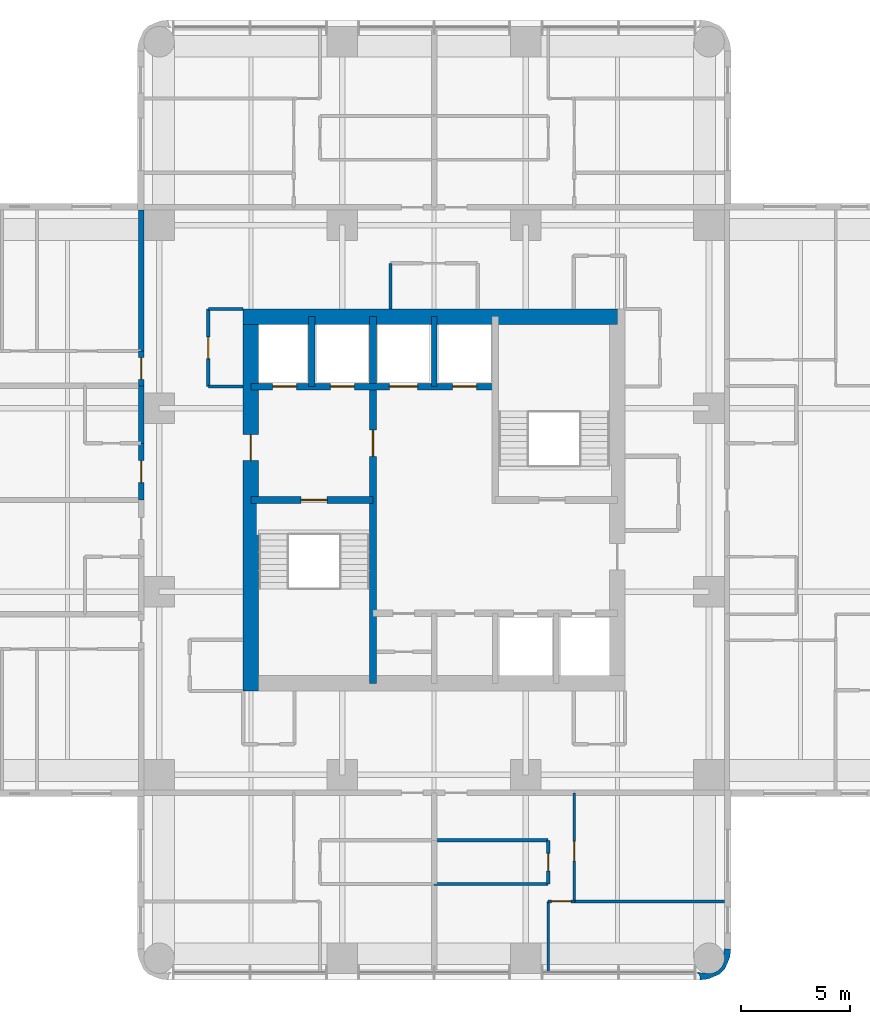
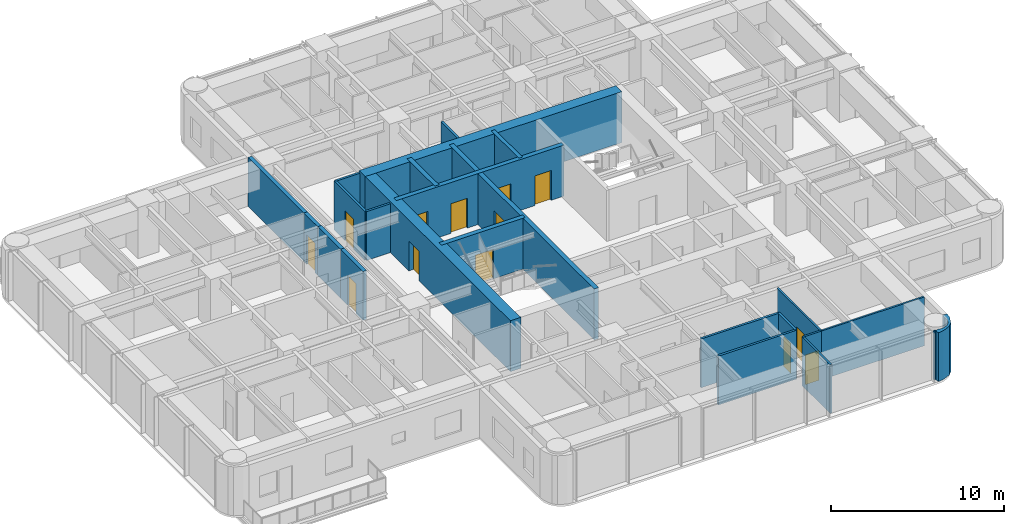
# One storey, part 6 of 11: 23 walls, 13 doors, 13 openings.
"""IFC4 building model written with IfcOpenShell, lengths in metres."""

from ifc_helpers import new_model, si_unit, direction, frame, frame_2d, origin, place, context, subcontext, project, spatial, polyline, rectangle, outline, extrude, material, layer, layer_set, type_object, element, fill, save


model = new_model("IFC4")

# Units and contexts
model_context = context("Model", 3, precision=1e-05, world=origin(), true_north=direction((0.0, 1.0)))
body_context = subcontext(model_context, "Body", "Model", "MODEL_VIEW")
ifc_project = project(units=[si_unit("LENGTHUNIT", "METRE"), si_unit("AREAUNIT", "SQUARE_METRE"), si_unit("VOLUMEUNIT", "CUBIC_METRE"), si_unit("PLANEANGLEUNIT", "RADIAN"), si_unit("MASSUNIT", "GRAM", prefix="KILO")], contexts=[model_context])

# Site, building, storey
site_placement = place(None, origin())
site = spatial("IfcSite", under=ifc_project, at=site_placement, CompositionType="ELEMENT")
building_placement = place(site_placement, origin())
building = spatial("IfcBuilding", under=site, at=building_placement, Name="Torre Alcanfor", CompositionType="ELEMENT")
storey_placement = place(building_placement, frame((0.0, 0.0, 215.699951171875)))
storey = spatial("IfcBuildingStorey", under=building, at=storey_placement, Name="L56", CompositionType="ELEMENT", Elevation=215.699951171875)

# Wall, opening, door
ifc_material_1 = material(Name="Concrete block masonry, hollow blocks NMX-C-404 9 MPa", Category="masonry")
ifc_layer_1 = layer(ifc_material_1, 0.25)
ifc_layer_set_1 = layer_set([ifc_layer_1], Name="Apartment entrance wall 250 EI 60")
wall_type_1 = type_object("IfcWallType", Name="Apartment entrance wall 250 EI 60", PredefinedType="PARTITIONING", material=ifc_layer_set_1)
wall_1_placement = place(storey_placement, frame((15.97509765625, 29.39990234375, 0.0), z_axis=(0.0, 0.0, 1.0), x_axis=(0.0, 1.0, 0.0)))
wall_1 = element("IfcWall", 1, at=wall_1_placement, inside=storey, type_object=wall_type_1, Name="Partition L56-CORR / L56-W2A-FOYER", PredefinedType="PARTITIONING", context=body_context, shape_type="SweptSolid", body=[
    extrude(rectangle(XDim=2.60009765625, YDim=0.25, at=frame_2d((1.300048828125, 0.0))), origin(), (0.0, 0.0, 1.0), 3.449951171875),
])
opening_1_placement = place(wall_1_placement, frame((0.800048828125, 0.0, 0.0)))
opening_1 = element("IfcOpeningElement", 2, at=opening_1_placement, cuts=wall_1, Name="Opening D-A1", PredefinedType="OPENING", context=body_context, shape_type="SweptSolid", body=[
    extrude(rectangle(XDim=1.0, YDim=2.10009765625, at=frame_2d((0.5, 1.050048828125))), frame((0.0, 0.135009765625, 0.0), z_axis=(0.0, -1.0, 0.0), x_axis=(1.0, 0.0, 0.0)), (0.0, 0.0, 1.0), 0.27001953125),
])
ifc_material_2 = material(Name="Galvanised steel sheet ASTM A653", Category="steel")
door_type_1 = type_object("IfcDoorType", Name="Apartment entrance door FD60 1000x2100", OperationType="SINGLE_SWING_LEFT", PredefinedType="DOOR", material=ifc_material_2)
door_1_placement = place(opening_1_placement, origin())
door_1 = element("IfcDoor", 3, at=door_1_placement, inside=storey, type_object=door_type_1, Name="Apartment entrance L56-W2A", OperationType="SINGLE_SWING_LEFT", OverallHeight=2.10009765625, OverallWidth=1.0, PredefinedType="DOOR", context=body_context, shape_type="SweptSolid", body=[
    extrude(rectangle(XDim=1.0, YDim=2.10009765625, at=frame_2d((0.5, 1.050048828125))), frame((0.0, 0.02490234375, 0.0), z_axis=(0.0, -1.0, 0.0), x_axis=(1.0, 0.0, 0.0)), (0.0, 0.0, 1.0), 0.050048828125),
])
fill(opening_1, door_1)

# Wall
wall_2_placement = place(storey_placement, frame((15.97509765625, 32.0, 0.0), z_axis=(0.0, 0.0, 1.0), x_axis=(0.0, 1.0, 0.0)))
element("IfcWall", 4, at=wall_2_placement, inside=storey, type_object=wall_type_1, Name="Partition L56-CORR / L56-W2A-BATH", PredefinedType="PARTITIONING", context=body_context, shape_type="SweptSolid", body=[
    extrude(rectangle(XDim=2.62890625, YDim=0.25, at=frame_2d((1.314453125, 0.0))), origin(), (0.0, 0.0, 1.0), 3.449951171875),
])

# Wall, opening, door
wall_3_placement = place(storey_placement, frame((15.97509765625, 34.62890625, 0.0), z_axis=(0.0, 0.0, 1.0), x_axis=(0.0, 1.0, 0.0)))
wall_3 = element("IfcWall", 5, at=wall_3_placement, inside=storey, type_object=wall_type_1, Name="Partition L56-CORR / L56-W2B-HALL", PredefinedType="PARTITIONING", context=body_context, shape_type="SweptSolid", body=[
    extrude(rectangle(XDim=1.60009765625, YDim=0.25, at=frame_2d((0.800048828125, 0.0))), origin(), (0.0, 0.0, 1.0), 3.449951171875),
])
opening_2_placement = place(wall_3_placement, frame((0.300048828125, 0.0, 0.0)))
opening_2 = element("IfcOpeningElement", 6, at=opening_2_placement, cuts=wall_3, Name="Opening D-A1", PredefinedType="OPENING", context=body_context, shape_type="SweptSolid", body=[
    extrude(rectangle(XDim=1.0, YDim=2.10009765625, at=frame_2d((0.5, 1.050048828125))), frame((0.0, 0.135009765625, 0.0), z_axis=(0.0, -1.0, 0.0), x_axis=(1.0, 0.0, 0.0)), (0.0, 0.0, 1.0), 0.27001953125),
])
door_2_placement = place(opening_2_placement, origin())
door_2 = element("IfcDoor", 7, at=door_2_placement, inside=storey, type_object=door_type_1, Name="Apartment entrance L56-W2B", OperationType="SINGLE_SWING_LEFT", OverallHeight=2.10009765625, OverallWidth=1.0, PredefinedType="DOOR", context=body_context, shape_type="SweptSolid", body=[
    extrude(rectangle(XDim=1.0, YDim=2.10009765625, at=frame_2d((0.5, 1.050048828125))), frame((0.0, 0.02490234375, 0.0), z_axis=(0.0, -1.0, 0.0), x_axis=(1.0, 0.0, 0.0)), (0.0, 0.0, 1.0), 0.050048828125),
])
fill(opening_2, door_2)

# Wall
wall_4_placement = place(storey_placement, frame((15.97509765625, 36.22900390625, 0.0), z_axis=(0.0, 0.0, 1.0), x_axis=(0.0, 1.0, 0.0)))
element("IfcWall", 8, at=wall_4_placement, inside=storey, type_object=wall_type_1, Name="Partition L56-CORR / L56-W2B-BED2", PredefinedType="PARTITIONING", context=body_context, shape_type="SweptSolid", body=[
    extrude(rectangle(XDim=6.470947265625, YDim=0.25, at=frame_2d((3.2353515625, 0.0))), origin(), (0.0, 0.0, 1.0), 3.449951171875),
])

# Wall, opening, door
ifc_material_3 = material(Name="Gypsum board on steel studs", Category="steel")
ifc_layer_2 = layer(ifc_material_3, 0.1201171875)
ifc_layer_set_2 = layer_set([ifc_layer_2], Name="Apartment partition 120")
wall_type_2 = type_object("IfcWallType", Name="Apartment partition 120", PredefinedType="PARTITIONING", material=ifc_layer_set_2)
wall_5_placement = place(storey_placement, frame((35.8291015625, 15.97509765625, 0.0), z_axis=(0.0, 0.0, 1.0), x_axis=(0.0, -1.0, 0.0)))
wall_5 = element("IfcWall", 9, at=wall_5_placement, inside=storey, type_object=wall_type_2, Name="Partition L56-S1-LIVING / L56-S1-BED2", PredefinedType="PARTITIONING", context=body_context, shape_type="SweptSolid", body=[
    extrude(rectangle(XDim=4.97509765625, YDim=0.1201171875, at=frame_2d((2.487548828125, 0.0))), origin(), (0.0, 0.0, 1.0), 3.449951171875),
])
opening_3_placement = place(wall_5_placement, frame((2.22509765625, 0.0, 0.0)))
opening_3 = element("IfcOpeningElement", 10, at=opening_3_placement, cuts=wall_5, Name="Opening D-R1", PredefinedType="OPENING", context=body_context, shape_type="SweptSolid", body=[
    extrude(rectangle(XDim=0.89990234375, YDim=2.10009765625, at=frame_2d((0.449951171875, 1.050048828125))), frame((0.0, 0.070068359375, 0.0), z_axis=(0.0, -1.0, 0.0), x_axis=(1.0, 0.0, 0.0)), (0.0, 0.0, 1.0), 0.14013671875),
])
ifc_material_4 = material(Name="Timber", Category="wood")
door_type_2 = type_object("IfcDoorType", Name="Internal door 900x2100", OperationType="SINGLE_SWING_LEFT", PredefinedType="DOOR", material=ifc_material_4)
door_3_placement = place(opening_3_placement, origin())
door_3 = element("IfcDoor", 11, at=door_3_placement, inside=storey, type_object=door_type_2, Name="Door L56-S1 bed2", OperationType="SINGLE_SWING_RIGHT", OverallHeight=2.10009765625, OverallWidth=0.89990234375, PredefinedType="DOOR", context=body_context, shape_type="SweptSolid", body=[
    extrude(rectangle(XDim=0.89990234375, YDim=2.10009765625, at=frame_2d((0.449951171875, 1.050048828125))), frame((0.0, 0.02490234375, 0.0), z_axis=(0.0, -1.0, 0.0), x_axis=(1.0, 0.0, 0.0)), (0.0, 0.0, 1.0), 0.050048828125),
])
fill(opening_3, door_3)

wall_6_placement = place(storey_placement, frame((35.8291015625, 11.0, 0.0), z_axis=(0.0, 0.0, 1.0), x_axis=(-1.0, 0.0, 0.0)))
wall_6 = element("IfcWall", 12, at=wall_6_placement, inside=storey, type_object=wall_type_2, Name="Partition L56-S1-LIVING / L56-S1-MASTER", PredefinedType="PARTITIONING", context=body_context, shape_type="SweptSolid", body=[
    extrude(rectangle(XDim=1.2001953125, YDim=0.1201171875, at=frame_2d((0.60009765625, 0.0))), origin(), (0.0, 0.0, 1.0), 3.449951171875),
])
opening_4_placement = place(wall_6_placement, frame((0.14892578125, 0.0, 0.0)))
opening_4 = element("IfcOpeningElement", 13, at=opening_4_placement, cuts=wall_6, Name="Opening D-R1", PredefinedType="OPENING", context=body_context, shape_type="SweptSolid", body=[
    extrude(rectangle(XDim=0.89990234375, YDim=2.10009765625, at=frame_2d((0.449951171875, 1.050048828125))), frame((0.0, 0.070068359375, 0.0), z_axis=(0.0, -1.0, 0.0), x_axis=(1.0, 0.0, 0.0)), (0.0, 0.0, 1.0), 0.14013671875),
])
door_4_placement = place(opening_4_placement, origin())
door_4 = element("IfcDoor", 14, at=door_4_placement, inside=storey, type_object=door_type_2, Name="Door L56-S1 master", OperationType="SINGLE_SWING_RIGHT", OverallHeight=2.10009765625, OverallWidth=0.89990234375, PredefinedType="DOOR", context=body_context, shape_type="SweptSolid", body=[
    extrude(rectangle(XDim=0.89990234375, YDim=2.10009765625, at=frame_2d((0.449951171875, 1.050048828125))), frame((0.0, 0.02490234375, 0.0), z_axis=(0.0, -1.0, 0.0), x_axis=(1.0, 0.0, 0.0)), (0.0, 0.0, 1.0), 0.050048828125),
])
fill(opening_4, door_4)

# Walls
wall_7_placement = place(storey_placement, frame((34.62890625, 11.0, 0.0), z_axis=(0.0, 0.0, 1.0), x_axis=(0.0, -1.0, 0.0)))
element("IfcWall", 15, at=wall_7_placement, inside=storey, type_object=wall_type_2, Name="Partition L56-S1-LIVING / L56-S1-MASTER", PredefinedType="PARTITIONING", context=body_context, shape_type="SweptSolid", body=[
    extrude(rectangle(XDim=3.25, YDim=0.1201171875, at=frame_2d((1.625, 0.0))), origin(), (0.0, 0.0, 1.0), 3.449951171875),
])
wall_8_placement = place(storey_placement, frame((35.8291015625, 11.0, 0.0), z_axis=(0.0, 0.0, 1.0), x_axis=(1.0, 0.0, 0.0)))
element("IfcWall", 16, at=wall_8_placement, inside=storey, type_object=wall_type_2, Name="Partition L56-S1-BED2 / L56-S1-MASTER", PredefinedType="PARTITIONING", context=body_context, shape_type="SweptSolid", body=[
    extrude(rectangle(XDim=6.870849609375, YDim=0.1201171875, at=frame_2d((3.435546875, 0.0))), origin(), (0.0, 0.0, 1.0), 3.449951171875),
])

# Wall, opening, door
ifc_material_5 = material(Name="Concrete f'c 70 MPa", Category="concrete")
ifc_layer_3 = layer(ifc_material_5, 0.300048828125)
ifc_layer_set_3 = layer_set([ifc_layer_3], Name="Core inner wall 300 f'c70")
wall_type_3 = type_object("IfcWallType", Name="Core inner wall 300 f'c70", PredefinedType="SHEAR", material=ifc_layer_set_3)
wall_9_placement = place(storey_placement, frame((26.60009765625, 21.0, 0.0), z_axis=(0.0, 0.0, 1.0), x_axis=(0.0, 1.0, 0.0)))
wall_9 = element("IfcWall", 17, at=wall_9_placement, inside=storey, type_object=wall_type_3, Name="Core wall X266 L56", PredefinedType="SHEAR", context=body_context, shape_type="SweptSolid", body=[
    extrude(rectangle(XDim=16.800048828125, YDim=0.300048828125, at=frame_2d((8.39990234375, 0.0))), origin(), (0.0, 0.0, 1.0), 3.60009765625),
])
opening_5_placement = place(wall_9_placement, frame((10.39990234375, 0.0, 0.0)))
opening_5 = element("IfcOpeningElement", 18, at=opening_5_placement, cuts=wall_9, Name="Opening D-L1", PredefinedType="OPENING", context=body_context, shape_type="SweptSolid", body=[
    extrude(rectangle(XDim=1.199951171875, YDim=2.10009765625, at=frame_2d((0.60009765625, 1.050048828125))), frame((0.0, 0.159912109375, 0.0), z_axis=(0.0, -1.0, 0.0), x_axis=(1.0, 0.0, 0.0)), (0.0, 0.0, 1.0), 0.320068359375),
])
ifc_material_6 = material(Name="Galvanised steel sheet ASTM A653", Category="steel")
door_type_3 = type_object("IfcDoorType", Name="Lobby door FD120 1200x2100", OperationType="SINGLE_SWING_LEFT", PredefinedType="DOOR", material=ifc_material_6)
door_5_placement = place(opening_5_placement, origin())
door_5 = element("IfcDoor", 19, at=door_5_placement, inside=storey, type_object=door_type_3, Name="Lift lobby door L56", OperationType="SINGLE_SWING_LEFT", OverallHeight=2.10009765625, OverallWidth=1.199951171875, PredefinedType="DOOR", context=body_context, shape_type="SweptSolid", body=[
    extrude(rectangle(XDim=1.199951171875, YDim=2.10009765625, at=frame_2d((0.60009765625, 1.050048828125))), frame((0.0, 0.02490234375, 0.0), z_axis=(0.0, -1.0, 0.0), x_axis=(1.0, 0.0, 0.0)), (0.0, 0.0, 1.0), 0.050048828125),
])
fill(opening_5, door_5)

wall_10_placement = place(storey_placement, frame((21.0, 29.39990234375, 0.0), z_axis=(0.0, 0.0, 1.0), x_axis=(1.0, 0.0, 0.0)))
wall_10 = element("IfcWall", 20, at=wall_10_placement, inside=storey, type_object=wall_type_3, Name="Core wall Y294W L56", PredefinedType="SHEAR", context=body_context, shape_type="SweptSolid", body=[
    extrude(rectangle(XDim=5.60009765625, YDim=0.300048828125, at=frame_2d((2.800048828125, 0.0))), origin(), (0.0, 0.0, 1.0), 3.60009765625),
])
opening_6_placement = place(wall_10_placement, frame((2.300048828125, 0.0, 0.0)))
opening_6 = element("IfcOpeningElement", 21, at=opening_6_placement, cuts=wall_10, Name="Opening D-S2", PredefinedType="OPENING", context=body_context, shape_type="SweptSolid", body=[
    extrude(rectangle(XDim=1.199951171875, YDim=2.10009765625, at=frame_2d((0.60009765625, 1.050048828125))), frame((0.0, 0.159912109375, 0.0), z_axis=(0.0, -1.0, 0.0), x_axis=(1.0, 0.0, 0.0)), (0.0, 0.0, 1.0), 0.320068359375),
])
ifc_material_7 = material(Name="Galvanised steel sheet ASTM A653", Category="steel")
door_type_4 = type_object("IfcDoorType", Name="Stair enclosure door FD120 1200x2100", OperationType="SINGLE_SWING_LEFT", PredefinedType="DOOR", material=ifc_material_7)
door_6_placement = place(opening_6_placement, frame((1.199951171875, 0.0, 0.0), z_axis=(0.0, 0.0, 1.0), x_axis=(-1.0, 0.0, 0.0)))
door_6 = element("IfcDoor", 22, at=door_6_placement, inside=storey, type_object=door_type_4, Name="Stair S1 door L56", OperationType="SINGLE_SWING_LEFT", OverallHeight=2.10009765625, OverallWidth=1.199951171875, PredefinedType="DOOR", context=body_context, shape_type="SweptSolid", body=[
    extrude(rectangle(XDim=1.199951171875, YDim=2.10009765625, at=frame_2d((0.599853515625, 1.050048828125))), frame((0.0, 0.025146484375, 0.0), z_axis=(0.0, -1.0, 0.0), x_axis=(1.0, 0.0, 0.0)), (0.0, 0.0, 1.0), 0.050048828125),
])
fill(opening_6, door_6)

# Wall, openings, doors
wall_11_placement = place(storey_placement, frame((21.0, 34.60009765625, 0.0), z_axis=(0.0, 0.0, 1.0), x_axis=(1.0, 0.0, 0.0)))
wall_11 = element("IfcWall", 23, at=wall_11_placement, inside=storey, type_object=wall_type_3, Name="Core wall Y346 L56", PredefinedType="SHEAR", context=body_context, shape_type="SweptSolid", body=[
    extrude(rectangle(XDim=11.199951171875, YDim=0.300048828125, at=frame_2d((5.60009765625, 0.0))), origin(), (0.0, 0.0, 1.0), 3.60009765625),
])
opening_7_placement = place(wall_11_placement, frame((9.25, 0.0, 0.0)))
opening_7 = element("IfcOpeningElement", 24, at=opening_7_placement, cuts=wall_11, Name="Opening LD1", PredefinedType="OPENING", context=body_context, shape_type="SweptSolid", body=[
    extrude(rectangle(XDim=1.10009765625, YDim=2.10009765625, at=frame_2d((0.550048828125, 1.050048828125))), frame((0.0, 0.159912109375, 0.0), z_axis=(0.0, -1.0, 0.0), x_axis=(1.0, 0.0, 0.0)), (0.0, 0.0, 1.0), 0.320068359375),
])
opening_8_placement = place(wall_11_placement, frame((1.0, 0.0, 0.0)))
opening_8 = element("IfcOpeningElement", 25, at=opening_8_placement, cuts=wall_11, Name="Opening LD2", PredefinedType="OPENING", context=body_context, shape_type="SweptSolid", body=[
    extrude(rectangle(XDim=1.10009765625, YDim=2.10009765625, at=frame_2d((0.550048828125, 1.050048828125))), frame((0.0, 0.159912109375, 0.0), z_axis=(0.0, -1.0, 0.0), x_axis=(1.0, 0.0, 0.0)), (0.0, 0.0, 1.0), 0.320068359375),
])
opening_9_placement = place(wall_11_placement, frame((3.64990234375, 0.0, 0.0)))
opening_9 = element("IfcOpeningElement", 26, at=opening_9_placement, cuts=wall_11, Name="Opening LD2", PredefinedType="OPENING", context=body_context, shape_type="SweptSolid", body=[
    extrude(rectangle(XDim=1.10009765625, YDim=2.10009765625, at=frame_2d((0.550048828125, 1.050048828125))), frame((0.0, 0.159912109375, 0.0), z_axis=(0.0, -1.0, 0.0), x_axis=(1.0, 0.0, 0.0)), (0.0, 0.0, 1.0), 0.320068359375),
])
opening_10_placement = place(wall_11_placement, frame((6.35009765625, 0.0, 0.0)))
opening_10 = element("IfcOpeningElement", 27, at=opening_10_placement, cuts=wall_11, Name="Opening LD3", PredefinedType="OPENING", context=body_context, shape_type="SweptSolid", body=[
    extrude(rectangle(XDim=1.300048828125, YDim=2.10009765625, at=frame_2d((0.64990234375, 1.050048828125))), frame((0.0, 0.159912109375, 0.0), z_axis=(0.0, -1.0, 0.0), x_axis=(1.0, 0.0, 0.0)), (0.0, 0.0, 1.0), 0.320068359375),
])
ifc_material_8 = material(Name="Galvanised steel sheet ASTM A653", Category="steel")
door_type_5 = type_object("IfcDoorType", Name="Firefighting lift landing door 1100x2100", OperationType="DOUBLE_DOOR_SLIDING", PredefinedType="DOOR", material=ifc_material_8)
door_7_placement = place(opening_8_placement, origin())
door_7 = element("IfcDoor", 28, at=door_7_placement, inside=storey, type_object=door_type_5, Name="Lift landing door FL1 L56", OperationType="DOUBLE_DOOR_SLIDING", OverallHeight=2.10009765625, OverallWidth=1.10009765625, PredefinedType="DOOR", context=body_context, shape_type="SweptSolid", body=[
    extrude(rectangle(XDim=1.10009765625, YDim=2.10009765625, at=frame_2d((0.550048828125, 1.050048828125))), frame((0.0, 0.02490234375, 0.0), z_axis=(0.0, -1.0, 0.0), x_axis=(1.0, 0.0, 0.0)), (0.0, 0.0, 1.0), 0.050048828125),
])
fill(opening_8, door_7)
door_8_placement = place(opening_9_placement, origin())
door_8 = element("IfcDoor", 29, at=door_8_placement, inside=storey, type_object=door_type_5, Name="Lift landing door FL2 L56", OperationType="DOUBLE_DOOR_SLIDING", OverallHeight=2.10009765625, OverallWidth=1.10009765625, PredefinedType="DOOR", context=body_context, shape_type="SweptSolid", body=[
    extrude(rectangle(XDim=1.10009765625, YDim=2.10009765625, at=frame_2d((0.550048828125, 1.050048828125))), frame((0.0, 0.02490234375, 0.0), z_axis=(0.0, -1.0, 0.0), x_axis=(1.0, 0.0, 0.0)), (0.0, 0.0, 1.0), 0.050048828125),
])
fill(opening_9, door_8)
ifc_material_9 = material(Name="Galvanised steel sheet ASTM A653", Category="steel")
door_type_6 = type_object("IfcDoorType", Name="Lift landing door 1100x2100", OperationType="DOUBLE_DOOR_SLIDING", PredefinedType="DOOR", material=ifc_material_9)
door_9_placement = place(opening_7_placement, origin())
door_9 = element("IfcDoor", 30, at=door_9_placement, inside=storey, type_object=door_type_6, Name="Lift landing door PA5 L56", OperationType="DOUBLE_DOOR_SLIDING", OverallHeight=2.10009765625, OverallWidth=1.10009765625, PredefinedType="DOOR", context=body_context, shape_type="SweptSolid", body=[
    extrude(rectangle(XDim=1.10009765625, YDim=2.10009765625, at=frame_2d((0.550048828125, 1.050048828125))), frame((0.0, 0.02490234375, 0.0), z_axis=(0.0, -1.0, 0.0), x_axis=(1.0, 0.0, 0.0)), (0.0, 0.0, 1.0), 0.050048828125),
])
fill(opening_7, door_9)
ifc_material_10 = material(Name="Galvanised steel sheet ASTM A653", Category="steel")
door_type_7 = type_object("IfcDoorType", Name="Service lift landing door 1300x2100", OperationType="DOUBLE_DOOR_SLIDING", PredefinedType="DOOR", material=ifc_material_10)
door_10_placement = place(opening_10_placement, origin())
door_10 = element("IfcDoor", 31, at=door_10_placement, inside=storey, type_object=door_type_7, Name="Lift landing door SL1 L56", OperationType="DOUBLE_DOOR_SLIDING", OverallHeight=2.10009765625, OverallWidth=1.300048828125, PredefinedType="DOOR", context=body_context, shape_type="SweptSolid", body=[
    extrude(rectangle(XDim=1.300048828125, YDim=2.10009765625, at=frame_2d((0.64990234375, 1.050048828125))), frame((0.0, 0.02490234375, 0.0), z_axis=(0.0, -1.0, 0.0), x_axis=(1.0, 0.0, 0.0)), (0.0, 0.0, 1.0), 0.050048828125),
])
fill(opening_10, door_10)

# Walls
wall_12_placement = place(storey_placement, frame((23.800048828125, 34.60009765625, 0.0), z_axis=(0.0, 0.0, 1.0), x_axis=(0.0, 1.0, 0.0)))
element("IfcWall", 32, at=wall_12_placement, inside=storey, type_object=wall_type_3, Name="Core wall X238 L56", PredefinedType="SHEAR", context=body_context, shape_type="SweptSolid", body=[
    extrude(rectangle(XDim=3.199951171875, YDim=0.300048828125, at=frame_2d((1.60009765625, 0.0))), origin(), (0.0, 0.0, 1.0), 3.60009765625),
])
ifc_material_11 = material(Name="Concrete f'c 70 MPa", Category="concrete")
ifc_layer_4 = layer(ifc_material_11, 0.25)
ifc_layer_set_4 = layer_set([ifc_layer_4], Name="Core shaft wall 250 f'c70")
wall_type_4 = type_object("IfcWallType", Name="Core shaft wall 250 f'c70", PredefinedType="SHEAR", material=ifc_layer_set_4)
wall_13_placement = place(storey_placement, frame((29.39990234375, 34.60009765625, 0.0), z_axis=(0.0, 0.0, 1.0), x_axis=(0.0, 1.0, 0.0)))
element("IfcWall", 33, at=wall_13_placement, inside=storey, type_object=wall_type_4, Name="Core wall X294N L56", PredefinedType="SHEAR", context=body_context, shape_type="SweptSolid", body=[
    extrude(rectangle(XDim=3.199951171875, YDim=0.25, at=frame_2d((1.60009765625, 0.0))), origin(), (0.0, 0.0, 1.0), 3.60009765625),
])
ifc_material_12 = material(Name="Concrete f'c 70 MPa", Category="concrete")
ifc_layer_5 = layer(ifc_material_12, 0.699951171875)
ifc_layer_set_5 = layer_set([ifc_layer_5], Name="Core wall 700 f'c70")
wall_type_5 = type_object("IfcWallType", Name="Core wall 700 f'c70", PredefinedType="SHEAR", material=ifc_layer_set_5)
wall_14_placement = place(storey_placement, frame((37.800048828125, 37.800048828125, 0.0), z_axis=(0.0, 0.0, 1.0), x_axis=(-1.0, 0.0, 0.0)))
element("IfcWall", 34, at=wall_14_placement, inside=storey, type_object=wall_type_5, Name="Core wall OUT-N L56", PredefinedType="SHEAR", context=body_context, shape_type="SweptSolid", body=[
    extrude(rectangle(XDim=17.150146484375, YDim=0.699951171875, at=frame_2d((8.5751953125, 0.0))), origin(), (0.0, 0.0, 1.0), 3.60009765625),
])

# Wall, opening, door
wall_15_placement = place(storey_placement, frame((21.0, 37.800048828125, 0.0), z_axis=(0.0, 0.0, 1.0), x_axis=(0.0, -1.0, 0.0)))
wall_15 = element("IfcWall", 35, at=wall_15_placement, inside=storey, type_object=wall_type_5, Name="Core wall OUT-W L56", PredefinedType="SHEAR", context=body_context, shape_type="SweptSolid", body=[
    extrude(rectangle(XDim=17.150146484375, YDim=0.699951171875, at=frame_2d((8.5751953125, 0.0))), origin(), (0.0, 0.0, 1.0), 3.60009765625),
])
opening_11_placement = place(wall_15_placement, frame((5.39990234375, 0.0, 0.0)))
opening_11 = element("IfcOpeningElement", 36, at=opening_11_placement, cuts=wall_15, Name="Opening D-L1", PredefinedType="OPENING", context=body_context, shape_type="SweptSolid", body=[
    extrude(rectangle(XDim=1.199951171875, YDim=2.10009765625, at=frame_2d((0.60009765625, 1.050048828125))), frame((0.0, 0.35986328125, 0.0), z_axis=(0.0, -1.0, 0.0), x_axis=(1.0, 0.0, 0.0)), (0.0, 0.0, 1.0), 0.719970703125),
])
door_11_placement = place(opening_11_placement, origin())
door_11 = element("IfcDoor", 37, at=door_11_placement, inside=storey, type_object=door_type_3, Name="Firefighting lobby door L56", OperationType="SINGLE_SWING_LEFT", OverallHeight=2.10009765625, OverallWidth=1.199951171875, PredefinedType="DOOR", context=body_context, shape_type="SweptSolid", body=[
    extrude(rectangle(XDim=1.199951171875, YDim=2.10009765625, at=frame_2d((0.60009765625, 1.050048828125))), frame((0.0, 0.02490234375, 0.0), z_axis=(0.0, -1.0, 0.0), x_axis=(1.0, 0.0, 0.0)), (0.0, 0.0, 1.0), 0.050048828125),
])
fill(opening_11, door_11)

# Walls
ifc_material_13 = material(Name="Concrete block masonry, hollow blocks NMX-C-404 9 MPa", Category="masonry")
ifc_layer_6 = layer(ifc_material_13, 0.14990234375)
ifc_layer_set_6 = layer_set([ifc_layer_6], Name="Residents' room partition 150")
wall_type_6 = type_object("IfcWallType", Name="Residents' room partition 150", PredefinedType="PARTITIONING", material=ifc_layer_set_6)
wall_16_placement = place(storey_placement, frame((27.39990234375, 40.25, 0.0), z_axis=(0.0, 0.0, 1.0), x_axis=(0.0, -1.0, 0.0)))
element("IfcWall", 38, at=wall_16_placement, inside=storey, type_object=wall_type_6, Name="Partition L56-CORR / L56-G01", PredefinedType="PARTITIONING", context=body_context, shape_type="SweptSolid", body=[
    extrude(rectangle(XDim=2.10009765625, YDim=0.14990234375, at=frame_2d((1.050048828125, 0.0))), origin(), (0.0, 0.0, 1.0), 3.449951171875),
])
wall_17_placement = place(storey_placement, frame((20.64990234375, 38.14990234375, 0.0), z_axis=(0.0, 0.0, 1.0), x_axis=(-1.0, 0.0, 0.0)))
element("IfcWall", 39, at=wall_17_placement, inside=storey, type_object=wall_type_6, Name="Partition L56-CORR / L56-G08", PredefinedType="PARTITIONING", context=body_context, shape_type="SweptSolid", body=[
    extrude(rectangle(XDim=1.599853515625, YDim=0.14990234375, at=frame_2d((0.7998046875, 0.0))), origin(), (0.0, 0.0, 1.0), 3.449951171875),
])

# Wall, opening, door
wall_18_placement = place(storey_placement, frame((19.050048828125, 38.14990234375, 0.0), z_axis=(0.0, 0.0, 1.0), x_axis=(0.0, -1.0, 0.0)))
wall_18 = element("IfcWall", 40, at=wall_18_placement, inside=storey, type_object=wall_type_6, Name="Partition L56-CORR / L56-G08", PredefinedType="PARTITIONING", context=body_context, shape_type="SweptSolid", body=[
    extrude(rectangle(XDim=3.5498046875, YDim=0.14990234375, at=frame_2d((1.77490234375, 0.0))), origin(), (0.0, 0.0, 1.0), 3.449951171875),
])
opening_12_placement = place(wall_18_placement, frame((1.27490234375, 0.0, 0.0)))
opening_12 = element("IfcOpeningElement", 41, at=opening_12_placement, cuts=wall_18, Name="Opening D-M1", PredefinedType="OPENING", context=body_context, shape_type="SweptSolid", body=[
    extrude(rectangle(XDim=1.0, YDim=2.10009765625, at=frame_2d((0.5, 1.050048828125))), frame((0.0, 0.0849609375, 0.0), z_axis=(0.0, -1.0, 0.0), x_axis=(1.0, 0.0, 0.0)), (0.0, 0.0, 1.0), 0.169921875),
])
ifc_material_14 = material(Name="Timber", Category="wood")
door_type_8 = type_object("IfcDoorType", Name="Residents' room door 1000x2100", OperationType="SINGLE_SWING_LEFT", PredefinedType="DOOR", material=ifc_material_14)
door_12_placement = place(opening_12_placement, origin())
door_12 = element("IfcDoor", 42, at=door_12_placement, inside=storey, type_object=door_type_8, Name="Door L56-G08 linen store", OperationType="SINGLE_SWING_LEFT", OverallHeight=2.10009765625, OverallWidth=1.0, PredefinedType="DOOR", context=body_context, shape_type="SweptSolid", body=[
    extrude(rectangle(XDim=1.0, YDim=2.10009765625, at=frame_2d((0.5, 1.050048828125))), frame((0.0, 0.02490234375, 0.0), z_axis=(0.0, -1.0, 0.0), x_axis=(1.0, 0.0, 0.0)), (0.0, 0.0, 1.0), 0.050048828125),
])
fill(opening_12, door_12)

# Walls
wall_19_placement = place(storey_placement, frame((19.050048828125, 34.60009765625, 0.0), z_axis=(0.0, 0.0, 1.0), x_axis=(1.0, 0.0, 0.0)))
element("IfcWall", 43, at=wall_19_placement, inside=storey, type_object=wall_type_6, Name="Partition L56-CORR / L56-G08", PredefinedType="PARTITIONING", context=body_context, shape_type="SweptSolid", body=[
    extrude(rectangle(XDim=1.599853515625, YDim=0.14990234375, at=frame_2d((0.7998046875, 0.0))), origin(), (0.0, 0.0, 1.0), 3.449951171875),
])
ifc_material_15 = material(Name="Limestone cladding", Category="masonry")
ifc_layer_7 = layer(ifc_material_15, 0.0400390625, Name="Facing")
ifc_material_16 = material(Name="Ventilated air cavity")
ifc_layer_8 = layer(ifc_material_16, 0.02001953125, ventilated=True, Name="Ventilated joint")
ifc_material_17 = material(Name="Mineral wool insulation", Category="insulation")
ifc_layer_9 = layer(ifc_material_17, 0.10009765625, Name="Insulation")
ifc_material_18 = material(Name="Concrete f'c 35 MPa", Category="concrete")
ifc_layer_10 = layer(ifc_material_18, 0.139892578125, Name="Backing")
ifc_layer_set_7 = layer_set([ifc_layer_7, ifc_layer_8, ifc_layer_9, ifc_layer_10], Name="Rounded corner pier stone-clad 300")
wall_type_7 = type_object("IfcWallType", Name="Rounded corner pier stone-clad 300", PredefinedType="SOLIDWALL", material=ifc_layer_set_7)
wall_20_placement = place(storey_placement, frame((41.487674505, 7.81184816, 0.0), z_axis=(0.0, 0.0, 1.0), x_axis=(0.439933741929, -0.898030234854, 0.0)))
element("IfcWall", 44, at=wall_20_placement, inside=storey, type_object=wall_type_7, Name="Corner pier L56 16", PredefinedType="SOLIDWALL", context=body_context, shape_type="SweptSolid", body=[
    extrude(outline(polyline([(-0.22211106405008596, 1.79285683715578), (-0.38963046514304167, 1.5408036407584151), (-0.3716523207929293, 1.5319963734639448), (-0.19468756344442484, 1.4143112499146666), (-0.11952867709650372, 1.4095716139925836), (0.13084986982823227, 1.2869143060622759), (0.31521775375122, 1.077790939273673), (0.4056918504372342, 0.8140758848288827), (0.38808178724257975, 0.5356161745678794), (0.2654244793122719, 0.2852376276431435), (0.2089428669679142, 0.23542648619150297), (0.14753391384334946, 0.052913590909571956), (0.10500025525893722, 0.07375029645990445), (0.031856974435347366, -0.07555599991115089), (0.1375846098688884, -0.03953909720776211), (0.1818140873587874, -0.00030939302076338215), (0.41939853572309777, -0.08026947549461516), (0.5358164427032454, 0.26614260505761644), (0.5587307592354187, 0.6309028220812384), (0.5547454122460747, 0.6510699721236227), (0.5663481591314005, 0.8356895887147825), (0.4554073490163316, 1.1591818423176052), (0.33330228334154954, 1.2978396679318425), (0.3239786746038034, 1.3165440299102549), (0.08230538830534162, 1.5907138760183892), (-0.22211106405008596, 1.79285683715578)])), origin(), (0.0, 0.0, 1.0), 3.449951171875),
])
ifc_material_19 = material(Name="Cement board on steel studs", Category="steel")
ifc_layer_11 = layer(ifc_material_19, 0.14990234375)
ifc_layer_set_8 = layer_set([ifc_layer_11], Name="Wet area partition 150")
wall_type_8 = type_object("IfcWallType", Name="Wet area partition 150", PredefinedType="PARTITIONING", material=ifc_layer_set_8)
wall_21_placement = place(storey_placement, frame((29.39990234375, 11.800048828125, 0.0), z_axis=(0.0, 0.0, 1.0), x_axis=(1.0, 0.0, 0.0)))
element("IfcWall", 45, at=wall_21_placement, inside=storey, type_object=wall_type_8, Name="Partition L56-S1-BATH / L56-S1-LIVING", PredefinedType="PARTITIONING", context=body_context, shape_type="SweptSolid", body=[
    extrude(rectangle(XDim=5.22900390625, YDim=0.14990234375, at=frame_2d((2.614501953125, 0.0))), origin(), (0.0, 0.0, 1.0), 3.449951171875),
])

# Wall, opening, door
wall_22_placement = place(storey_placement, frame((34.62890625, 11.800048828125, 0.0), z_axis=(0.0, 0.0, 1.0), x_axis=(0.0, 1.0, 0.0)))
wall_22 = element("IfcWall", 46, at=wall_22_placement, inside=storey, type_object=wall_type_8, Name="Partition L56-S1-BATH / L56-S1-LIVING", PredefinedType="PARTITIONING", context=body_context, shape_type="SweptSolid", body=[
    extrude(rectangle(XDim=2.0, YDim=0.14990234375, at=frame_2d((1.0, 0.0))), origin(), (0.0, 0.0, 1.0), 3.449951171875),
])
opening_13_placement = place(wall_22_placement, frame((0.60009765625, 0.0, 0.0)))
opening_13 = element("IfcOpeningElement", 47, at=opening_13_placement, cuts=wall_22, Name="Opening D-R2", PredefinedType="OPENING", context=body_context, shape_type="SweptSolid", body=[
    extrude(rectangle(XDim=0.800048828125, YDim=2.10009765625, at=frame_2d((0.39990234375, 1.050048828125))), frame((0.0, 0.0849609375, 0.0), z_axis=(0.0, -1.0, 0.0), x_axis=(1.0, 0.0, 0.0)), (0.0, 0.0, 1.0), 0.169921875),
])
ifc_material_20 = material(Name="Timber", Category="wood")
door_type_9 = type_object("IfcDoorType", Name="Bathroom door 800x2100", OperationType="SINGLE_SWING_LEFT", PredefinedType="DOOR", material=ifc_material_20)
door_13_placement = place(opening_13_placement, origin())
door_13 = element("IfcDoor", 48, at=door_13_placement, inside=storey, type_object=door_type_9, Name="Door L56-S1 bath", OperationType="SINGLE_SWING_LEFT", OverallHeight=2.10009765625, OverallWidth=0.800048828125, PredefinedType="DOOR", context=body_context, shape_type="SweptSolid", body=[
    extrude(rectangle(XDim=0.800048828125, YDim=2.10009765625, at=frame_2d((0.39990234375, 1.050048828125))), frame((0.0, 0.02490234375, 0.0), z_axis=(0.0, -1.0, 0.0), x_axis=(1.0, 0.0, 0.0)), (0.0, 0.0, 1.0), 0.050048828125),
])
fill(opening_13, door_13)

# Wall
wall_23_placement = place(storey_placement, frame((34.62890625, 13.800048828125, 0.0), z_axis=(0.0, 0.0, 1.0), x_axis=(-1.0, 0.0, 0.0)))
element("IfcWall", 49, at=wall_23_placement, inside=storey, type_object=wall_type_8, Name="Partition L56-S1-BATH / L56-S1-LIVING", PredefinedType="PARTITIONING", context=body_context, shape_type="SweptSolid", body=[
    extrude(rectangle(XDim=5.22900390625, YDim=0.14990234375, at=frame_2d((2.614501953125, 0.0))), origin(), (0.0, 0.0, 1.0), 3.449951171875),
])

save(model, "model.ifc")
